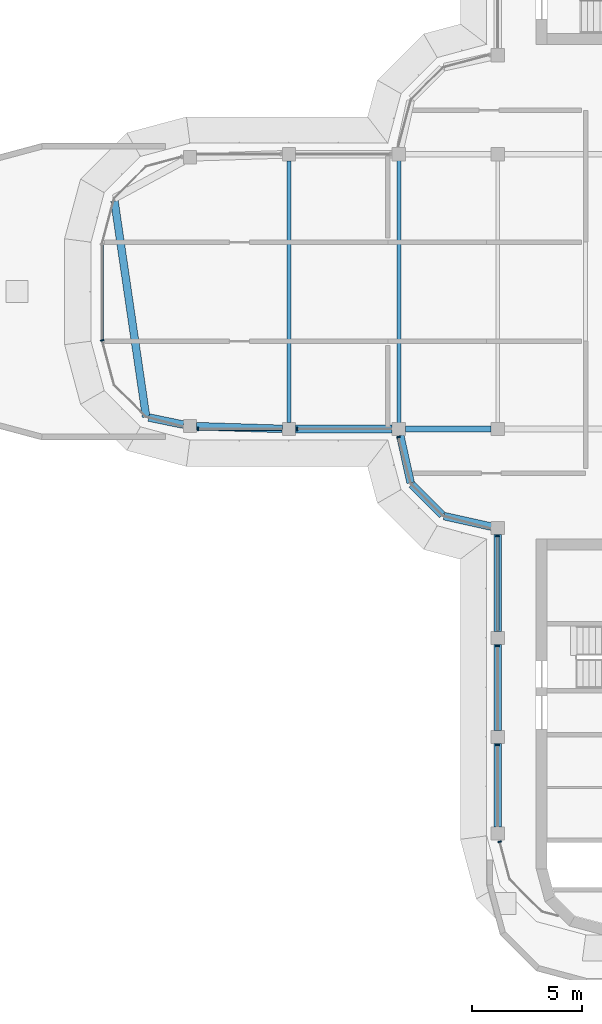
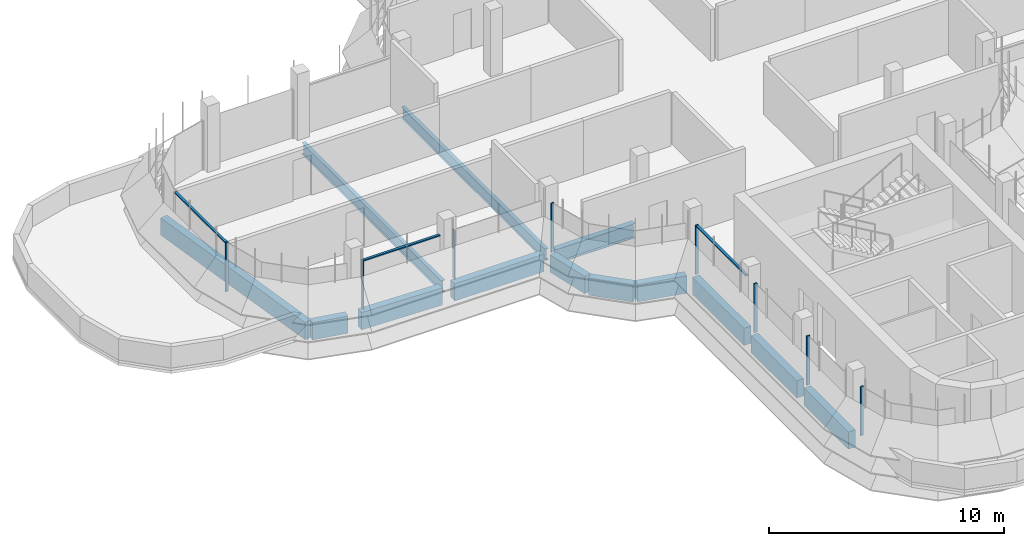
# One storey, part 2 of 20: 13 beams, 11 members, 6 elements without a shape of their own.
"""IFC4 building model written with IfcOpenShell, lengths in metres."""

from ifc_helpers import new_model, si_unit, direction, frame, origin, origin_2d, place, context, subcontext, project, spatial, polyline, rectangle, i_section, outline, extrude, source, transform, mapped, material, material_profile, profile_set, type_object, element, aggregate, save


model = new_model("IFC4")

# Units and contexts
model_context = context("Model", 3, precision=1e-05, world=origin(), true_north=direction((0.0, 1.0)))
body_context = subcontext(model_context, "Body", "Model", "MODEL_VIEW")
ifc_project = project(units=[si_unit("LENGTHUNIT", "METRE"), si_unit("AREAUNIT", "SQUARE_METRE"), si_unit("VOLUMEUNIT", "CUBIC_METRE"), si_unit("PLANEANGLEUNIT", "RADIAN"), si_unit("MASSUNIT", "GRAM", prefix="KILO")], contexts=[model_context])

# Site, building, storey
site_placement = place(None, origin())
site = spatial("IfcSite", under=ifc_project, at=site_placement, CompositionType="ELEMENT")
building_placement = place(site_placement, origin())
building = spatial("IfcBuilding", under=site, at=building_placement, Name="Zarbagh Exchange Tower", CompositionType="ELEMENT")
storey_placement = place(building_placement, frame((0.0, 0.0, 291.60009765625)))
storey = spatial("IfcBuildingStorey", under=building, at=storey_placement, Name="L71", CompositionType="ELEMENT", Elevation=291.60009765625)

# Beams
ifc_material_1 = material(Name="Steel ASTM A992 Gr 50", Category="steel")
ifc_material_profile_1 = material_profile(ifc_material_1, i_section(OverallWidth=0.1787109375, OverallDepth=0.60205078125, WebThickness=0.010986328125, FlangeThickness=0.014892578125, at=origin_2d()), Name="W24X62")
ifc_profile_set_1 = profile_set([ifc_material_profile_1], Name="Steel ASTM A992 Gr 50")
beam_type_1 = type_object("IfcBeamType", Name="Floor beam W24X62", PredefinedType="BEAM", material=ifc_profile_set_1)
beam_1_placement = place(storey_placement, frame((-10.75, -6.117919921875, -0.451171875), z_axis=(0.0, 1.0, 0.0), x_axis=(-1.0, 0.0, 0.0)))
element("IfcBeam", 1, at=beam_1_placement, inside=storey, type_object=beam_type_1, Name="Steel floor beam", PredefinedType="BEAM", context=body_context, shape_type="SweptSolid", body=[
    extrude(i_section(OverallWidth=0.1787109375, OverallDepth=0.60205078125, WebThickness=0.010986328125, FlangeThickness=0.014892578125, at=origin_2d()), origin(), (0.0, 0.0, 1.0), 12.23583984375),
])
beam_2_placement = place(storey_placement, frame((-15.75, -5.949951171875, -0.451171875), z_axis=(0.0, 1.0, 0.0), x_axis=(-1.0, 0.0, 0.0)))
element("IfcBeam", 2, at=beam_2_placement, inside=storey, type_object=beam_type_1, Name="Steel floor beam", PredefinedType="BEAM", context=body_context, shape_type="SweptSolid", body=[
    extrude(i_section(OverallWidth=0.1787109375, OverallDepth=0.60205078125, WebThickness=0.010986328125, FlangeThickness=0.014892578125, at=origin_2d()), origin(), (0.0, 0.0, 1.0), 11.89990234375),
])
ifc_material_profile_2 = material_profile(ifc_material_1, i_section(OverallWidth=0.26416015625, OverallDepth=0.749267578125, WebThickness=0.011962890625, FlangeThickness=0.015380859375, at=origin_2d()), Name="W30X90")
ifc_profile_set_2 = profile_set([ifc_material_profile_2], Name="Steel ASTM A992 Gr 50")
beam_type_2 = type_object("IfcBeamType", Name="Floor girder W30X90", PredefinedType="BEAM", material=ifc_profile_set_2)
beam_3_placement = place(storey_placement, frame((-10.449951171875, -6.25, -0.524658203125), z_axis=(1.0, 0.0, 0.0), x_axis=(0.0, 1.0, 0.0)))
element("IfcBeam", 3, at=beam_3_placement, inside=storey, type_object=beam_type_2, Name="Steel girder", PredefinedType="BEAM", context=body_context, shape_type="SweptSolid", body=[
    extrude(i_section(OverallWidth=0.26416015625, OverallDepth=0.749267578125, WebThickness=0.011962890625, FlangeThickness=0.015380859375, at=origin_2d()), origin(), (0.0, 0.0, 1.0), 3.89990234375),
])
ifc_material_2 = material(Name="Concrete C40/50", Category="concrete")
ifc_material_profile_3 = material_profile(ifc_material_2, rectangle(XDim=0.35009765625, YDim=0.89990234375, at=origin_2d()), Name="RC spandrel beam 350 x 900 C40/50")
ifc_profile_set_3 = profile_set([ifc_material_profile_3], Name="Concrete C40/50")
beam_type_3 = type_object("IfcBeamType", Name="RC spandrel beam 350 x 900 C40/50", PredefinedType="SPANDREL", material=ifc_profile_set_3)
beam_4_placement = place(storey_placement, frame((-6.25, -24.35009765625, -0.60009765625), z_axis=(0.0, 1.0, 0.0), x_axis=(-1.0, 0.0, 0.0)))
element("IfcBeam", 4, at=beam_4_placement, inside=storey, type_object=beam_type_3, Name="RC spandrel beam", PredefinedType="SPANDREL", context=body_context, shape_type="SweptSolid", body=[
    extrude(rectangle(XDim=0.35009765625, YDim=0.89990234375, at=origin_2d()), origin(), (0.0, 0.0, 1.0), 3.800048828125),
])
beam_5_placement = place(storey_placement, frame((-6.25, -19.949951171875, -0.60009765625), z_axis=(0.0, 1.0, 0.0), x_axis=(-1.0, 0.0, 0.0)))
element("IfcBeam", 5, at=beam_5_placement, inside=storey, type_object=beam_type_3, Name="RC spandrel beam", PredefinedType="SPANDREL", context=body_context, shape_type="SweptSolid", body=[
    extrude(rectangle(XDim=0.35009765625, YDim=0.89990234375, at=origin_2d()), origin(), (0.0, 0.0, 1.0), 3.89990234375),
])
beam_6_placement = place(storey_placement, frame((-6.25, -15.449951171875, -0.60009765625), z_axis=(0.0, 1.0, 0.0), x_axis=(-1.0, 0.0, 0.0)))
element("IfcBeam", 6, at=beam_6_placement, inside=storey, type_object=beam_type_3, Name="RC spandrel beam", PredefinedType="SPANDREL", context=body_context, shape_type="SweptSolid", body=[
    extrude(rectangle(XDim=0.35009765625, YDim=0.89990234375, at=origin_2d()), origin(), (0.0, 0.0, 1.0), 4.39990234375),
])
beam_7_placement = place(storey_placement, frame((-6.54296875, -10.685302734375, -0.60009765625), z_axis=(-0.976387662047, 0.216025770228, 0.0), x_axis=(-0.216025770228, -0.976387662047, 0.0)))
element("IfcBeam", 7, at=beam_7_placement, inside=storey, type_object=beam_type_3, Name="RC spandrel beam", PredefinedType="SPANDREL", context=body_context, shape_type="SweptSolid", body=[
    extrude(rectangle(XDim=0.35009765625, YDim=0.89990234375, at=origin_2d()), origin(), (0.0, 0.0, 1.0), 2.200439453125),
])
beam_8_placement = place(storey_placement, frame((-8.77734375, -10.16259765625, -0.60009765625), z_axis=(-0.707106781187, 0.707106781187, 0.0), x_axis=(-0.707106781187, -0.707106781187, 0.0)))
element("IfcBeam", 8, at=beam_8_placement, inside=storey, type_object=beam_type_3, Name="RC spandrel beam", PredefinedType="SPANDREL", context=body_context, shape_type="SweptSolid", body=[
    extrude(rectangle(XDim=0.35009765625, YDim=0.89990234375, at=origin_2d()), origin(), (0.0, 0.0, 1.0), 1.958984375),
])
beam_9_placement = place(storey_placement, frame((-10.2099609375, -8.69140625, -0.60009765625), z_axis=(-0.216025770228, 0.976387662047, 0.0), x_axis=(-0.976387662047, -0.216025770228, 0.0)))
element("IfcBeam", 9, at=beam_9_placement, inside=storey, type_object=beam_type_3, Name="RC spandrel beam", PredefinedType="SPANDREL", context=body_context, shape_type="SweptSolid", body=[
    extrude(rectangle(XDim=0.35009765625, YDim=0.89990234375, at=origin_2d()), origin(), (0.0, 0.0, 1.0), 2.200439453125),
])
beam_10_placement = place(storey_placement, frame((-11.050048828125, -6.25, -0.60009765625), z_axis=(-1.0, 0.0, 0.0), x_axis=(0.0, -1.0, 0.0)))
element("IfcBeam", 10, at=beam_10_placement, inside=storey, type_object=beam_type_3, Name="RC spandrel beam", PredefinedType="SPANDREL", context=body_context, shape_type="SweptSolid", body=[
    extrude(rectangle(XDim=0.35009765625, YDim=0.89990234375, at=origin_2d()), origin(), (0.0, 0.0, 1.0), 4.39990234375),
])
beam_11_placement = place(storey_placement, frame((-16.0498046875, -6.24072265625, -0.60009765625), z_axis=(-0.999516460907, 0.031094121249, 0.0), x_axis=(-0.031094121249, -0.999516460907, 0.0)))
element("IfcBeam", 11, at=beam_11_placement, inside=storey, type_object=beam_type_3, Name="RC spandrel beam", PredefinedType="SPANDREL", context=body_context, shape_type="SweptSolid", body=[
    extrude(rectangle(XDim=0.35009765625, YDim=0.89990234375, at=origin_2d()), origin(), (0.0, 0.0, 1.0), 3.90234375),
])
beam_12_placement = place(storey_placement, frame((-20.543701171875, -6.04931640625, -0.60009765625), z_axis=(-0.979343298962, 0.202204606224, 0.0), x_axis=(-0.202204606224, -0.979343298962, 0.0)))
element("IfcBeam", 12, at=beam_12_placement, inside=storey, type_object=beam_type_3, Name="RC spandrel beam", PredefinedType="SPANDREL", context=body_context, shape_type="SweptSolid", body=[
    extrude(rectangle(XDim=0.35009765625, YDim=0.89990234375, at=origin_2d()), origin(), (0.0, 0.0, 1.0), 1.610595703125),
])
beam_13_placement = place(storey_placement, frame((-22.2412109375, -5.69873046875, -0.60009765625), z_axis=(-0.145098774103, 0.989417174782, 0.0), x_axis=(-0.989417174782, -0.145098774103, 0.0)))
element("IfcBeam", 13, at=beam_13_placement, inside=storey, type_object=beam_type_3, Name="RC spandrel beam", PredefinedType="SPANDREL", context=body_context, shape_type="SweptSolid", body=[
    extrude(rectangle(XDim=0.35009765625, YDim=0.89990234375, at=origin_2d()), origin(), (0.0, 0.0, 1.0), 9.923828125),
])

# Curtain wall, member
ifc_material_3 = material(Name="Anodised aluminium frame and glazing", Category="aluminium")
curtain_wall_type = type_object("IfcCurtainWallType", Name="CWF Crown tier glazing", PredefinedType="NOTDEFINED", material=ifc_material_3)
curtain_wall_1_placement = place(storey_placement, origin())
curtain_wall_1 = element("IfcCurtainWall", 14, at=curtain_wall_1_placement, inside=storey, type_object=curtain_wall_type, Name="CWF35 curtain wall", PredefinedType="NOTDEFINED")
ifc_material_4 = material(Name="Anodised aluminium frame", Category="aluminium")
member_type_1 = type_object("IfcMemberType", Name="TRF Transom, anodised aluminium frame", PredefinedType="USERDEFINED", material=ifc_material_4)
shared_shape_1 = source(origin(), body_context, "Body", "SweptSolid", [
    extrude(outline(polyline([(-0.06005859375, -0.06005859375), (0.0, -0.06005859375), (0.0, 0.06005859375), (-0.06005859375, 0.06005859375), (-0.06005859375, -0.06005859375)])), origin(), (0.0, 0.0, 1.0), 4.308349609375),
])
placement = place(storey_placement, origin())
member_1 = element("IfcMember", 15, at=placement, type_object=member_type_1, Name="CWF35 transom 1.1", ObjectType="TRANSOM", PredefinedType="USERDEFINED", context=body_context, shape_type="MappedRepresentation", body=[
    mapped(shared_shape_1, transform((-24.25, 2.124267578125, 2.5498046875), x_axis=(0.0, 0.0, 1.0), y_axis=(-1.0, 0.0, 0.0), z_axis=(0.0, -1.0, 0.0))),
])
aggregate(curtain_wall_1, [member_1])

curtain_wall_2_placement = place(storey_placement, origin())
curtain_wall_2 = element("IfcCurtainWall", 16, at=curtain_wall_2_placement, inside=storey, type_object=curtain_wall_type, Name="CWF43 curtain wall", PredefinedType="NOTDEFINED")
shared_shape_2 = source(origin(), body_context, "Body", "SweptSolid", [
    extrude(outline(polyline([(-0.06005859375, -0.06005859375), (0.0, -0.06005859375), (0.0, 0.06005859375), (-0.06005859375, 0.06005859375), (-0.06005859375, -0.06005859375)])), origin(), (0.0, 0.0, 1.0), 4.260009765625),
])
member_2 = element("IfcMember", 17, at=placement, type_object=member_type_1, Name="CWF43 transom 1.1", ObjectType="TRANSOM", PredefinedType="USERDEFINED", context=body_context, shape_type="MappedRepresentation", body=[
    mapped(shared_shape_2, transform((-6.25, -11.150146484375, 2.5498046875), x_axis=(0.0, 0.0, 1.0), y_axis=(-1.0, 0.0, 0.0), z_axis=(0.0, -1.0, 0.0))),
])

curtain_wall_3_placement = place(storey_placement, origin())
curtain_wall_3 = element("IfcCurtainWall", 18, at=curtain_wall_3_placement, inside=storey, type_object=curtain_wall_type, Name="CWF39 curtain wall", PredefinedType="NOTDEFINED")
shared_shape_3 = source(origin(), body_context, "Body", "SweptSolid", [
    extrude(outline(polyline([(-0.06005859375, -0.06005859375), (0.0, -0.06005859375), (0.0, 0.06005859375), (-0.06005859375, 0.06005859375), (-0.06005859375, -0.06005859375)])), origin(), (0.0, 0.0, 1.0), 3.760009765625),
])
member_3 = element("IfcMember", 19, at=placement, type_object=member_type_1, Name="CWF39 transom 1.1", ObjectType="TRANSOM", PredefinedType="USERDEFINED", context=body_context, shape_type="MappedRepresentation", body=[
    mapped(shared_shape_3, transform((-19.849853515625, -6.25, 2.5498046875), x_axis=(0.0, 0.0, 1.0), y_axis=(0.0, -1.0, 0.0), z_axis=(1.0, 0.0, 0.0))),
])

curtain_wall_4_placement = place(storey_placement, origin())
curtain_wall_4 = element("IfcCurtainWall", 20, at=curtain_wall_4_placement, inside=storey, type_object=curtain_wall_type, Name="CWF36 curtain wall", PredefinedType="NOTDEFINED")
member_type_2 = type_object("IfcMemberType", Name="MUF Mullion, anodised aluminium frame", PredefinedType="MULLION", material=ifc_material_4)
shared_shape_4 = source(origin(), body_context, "Body", "SweptSolid", [
    extrude(outline(polyline([(0.0, -0.080078125), (0.06005859375, -0.080078125), (0.06005859375, 0.080078125), (0.0, 0.080078125), (0.0, -0.080078125)])), origin(), (0.0, 0.0, 1.0), 2.550048828125),
])
member_4 = element("IfcMember", 21, at=placement, type_object=member_type_2, Name="CWF36 mullion 1.1", PredefinedType="MULLION", context=body_context, shape_type="MappedRepresentation", body=[
    mapped(shared_shape_4, transform((-24.25, -2.18408203125, 0.0), x_axis=(0.258824779902, -0.965924289636, 0.0), y_axis=(0.965924289636, 0.258824779902, 0.0), z_axis=(0.0, 0.0, 1.0))),
])
aggregate(curtain_wall_4, [member_4])

# Member
member_5 = element("IfcMember", 22, at=placement, type_object=member_type_2, Name="CWF39 mullion 1.1", PredefinedType="MULLION", context=body_context, shape_type="MappedRepresentation", body=[
    mapped(shared_shape_4, transform((-19.909912109375, -6.25, 0.0), x_axis=(1.0, 0.0, 0.0), y_axis=(0.0, 1.0, 0.0), z_axis=(0.0, 0.0, 1.0))),
])

member_6 = element("IfcMember", 23, at=placement, type_object=member_type_2, Name="CWF39 mullion 2.1", PredefinedType="MULLION", context=body_context, shape_type="MappedRepresentation", body=[
    mapped(shared_shape_4, transform((-15.409912109375, -6.25, 0.0), x_axis=(1.0, 0.0, 0.0), y_axis=(0.0, 1.0, 0.0), z_axis=(0.0, 0.0, 1.0))),
])

aggregate(curtain_wall_3, [member_5, member_3, member_6])

# Curtain wall, member
curtain_wall_5_placement = place(storey_placement, origin())
curtain_wall_5 = element("IfcCurtainWall", 24, at=curtain_wall_5_placement, inside=storey, type_object=curtain_wall_type, Name="CWF40 curtain wall", PredefinedType="NOTDEFINED")
member_7 = element("IfcMember", 25, at=placement, type_object=member_type_2, Name="CWF40 mullion 1.1", PredefinedType="MULLION", context=body_context, shape_type="MappedRepresentation", body=[
    mapped(shared_shape_4, transform((-10.775146484375, -6.590087890625, 0.0), x_axis=(0.258824779902, -0.965924289636, 0.0), y_axis=(0.965924289636, 0.258824779902, 0.0), z_axis=(0.0, 0.0, 1.0))),
])
aggregate(curtain_wall_5, [member_7])

# Member
member_8 = element("IfcMember", 26, at=placement, type_object=member_type_2, Name="CWF43 mullion 1.1", PredefinedType="MULLION", context=body_context, shape_type="MappedRepresentation", body=[
    mapped(shared_shape_4, transform((-6.25, -11.090087890625, 0.0), x_axis=(0.0, -1.0, 0.0), y_axis=(1.0, 0.0, 0.0), z_axis=(0.0, 0.0, 1.0))),
])

member_9 = element("IfcMember", 27, at=placement, type_object=member_type_2, Name="CWF43 mullion 2.1", PredefinedType="MULLION", context=body_context, shape_type="MappedRepresentation", body=[
    mapped(shared_shape_4, transform((-6.25, -16.090087890625, 0.0), x_axis=(0.0, -1.0, 0.0), y_axis=(1.0, 0.0, 0.0), z_axis=(0.0, 0.0, 1.0))),
])

member_10 = element("IfcMember", 28, at=placement, type_object=member_type_2, Name="CWF43 mullion 3.1", PredefinedType="MULLION", context=body_context, shape_type="MappedRepresentation", body=[
    mapped(shared_shape_4, transform((-6.25, -20.590087890625, 0.0), x_axis=(0.0, -1.0, 0.0), y_axis=(1.0, 0.0, 0.0), z_axis=(0.0, 0.0, 1.0))),
])

aggregate(curtain_wall_2, [member_8, member_2, member_9, member_10])

# Curtain wall, member
curtain_wall_6_placement = place(storey_placement, origin())
curtain_wall_6 = element("IfcCurtainWall", 29, at=curtain_wall_6_placement, inside=storey, type_object=curtain_wall_type, Name="CWF44 curtain wall", PredefinedType="NOTDEFINED")
member_11 = element("IfcMember", 30, at=placement, type_object=member_type_2, Name="CWF44 mullion 1.1", PredefinedType="MULLION", context=body_context, shape_type="MappedRepresentation", body=[
    mapped(shared_shape_4, transform((-6.16796875, -24.989990234375, 0.0), x_axis=(0.258824779902, -0.965924289636, 0.0), y_axis=(0.965924289636, 0.258824779902, 0.0), z_axis=(0.0, 0.0, 1.0))),
])
aggregate(curtain_wall_6, [member_11])

save(model, "model.ifc")
